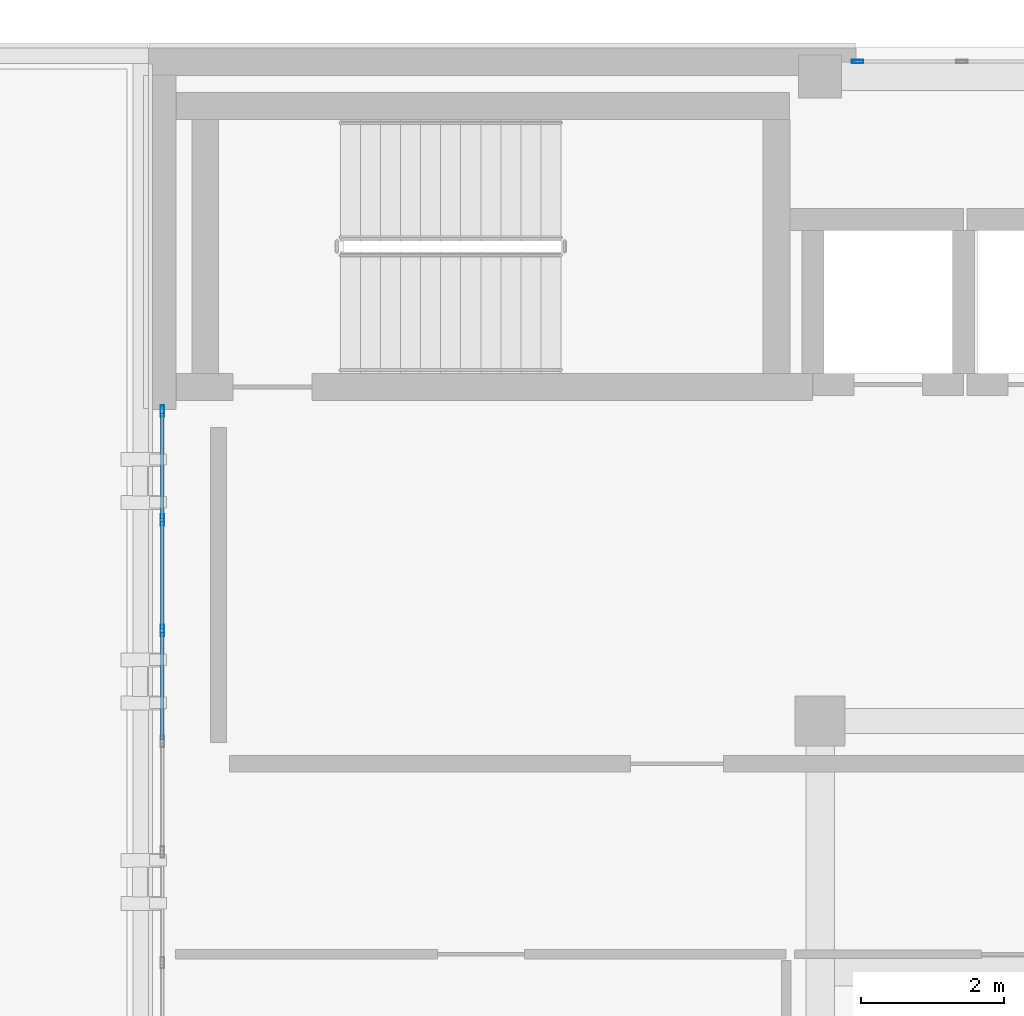
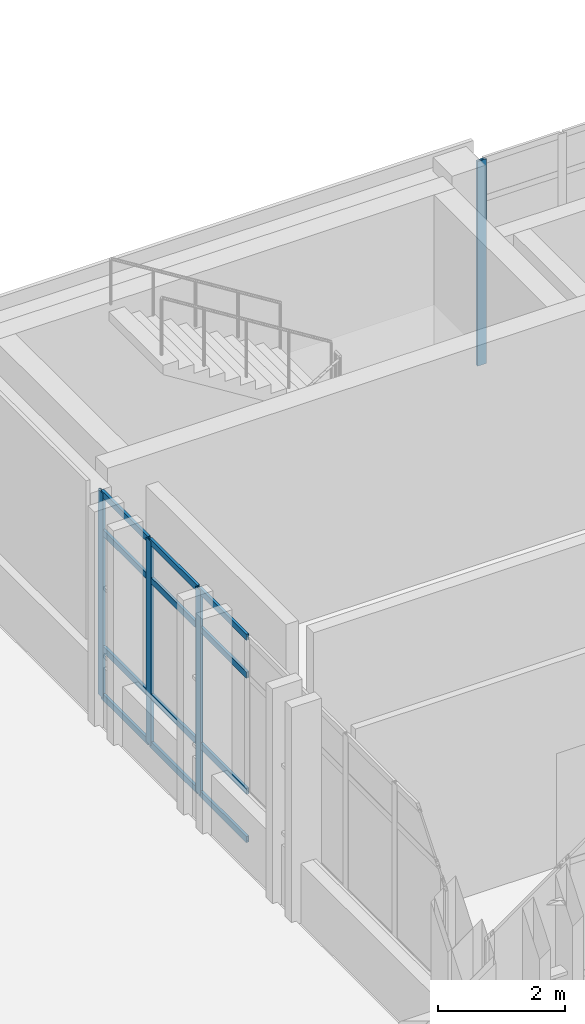
# One storey, part 44 of 90: 16 members, 2 elements without a shape of their own.
"""IFC4 building model written with IfcOpenShell, lengths in metres."""

from ifc_helpers import new_model, si_unit, direction, frame, origin, origin_2d, place, context, subcontext, project, spatial, hollow_rectangle, extrude, material, layer, layer_set, material_profile, profile_set, type_object, element, aggregate, save


model = new_model("IFC4")

# Units and contexts
model_context = context("Model", 3, precision=1e-05, world=origin(), true_north=direction((0.0, 1.0)))
body_context = subcontext(model_context, "Body", "Model", "MODEL_VIEW")
ifc_project = project(units=[si_unit("LENGTHUNIT", "METRE"), si_unit("AREAUNIT", "SQUARE_METRE"), si_unit("VOLUMEUNIT", "CUBIC_METRE"), si_unit("PLANEANGLEUNIT", "RADIAN"), si_unit("MASSUNIT", "GRAM", prefix="KILO")], contexts=[model_context])

# Site, building, storey
site_placement = place(None, origin())
site = spatial("IfcSite", under=ifc_project, at=site_placement, CompositionType="ELEMENT")
building_placement = place(site_placement, origin())
building = spatial("IfcBuilding", under=site, at=building_placement, Name="Qalavern Law Courts", CompositionType="ELEMENT")
storey_placement = place(building_placement, frame((0.0, 0.0, 22.800048828125)))
storey = spatial("IfcBuildingStorey", under=building, at=storey_placement, Name="L05", CompositionType="ELEMENT", Elevation=22.800048828125)

# Curtain wall, member
ifc_material_1 = material(Name="Anodised aluminium and insulated glazing", Category="aluminium")
ifc_layer = layer(ifc_material_1, 0.166015625)
ifc_layer_set = layer_set([ifc_layer], Name="Anodised aluminium and insulated glazing")
curtain_wall_type = type_object("IfcCurtainWallType", Name="ENV-CW-LIB", PredefinedType="USERDEFINED", material=ifc_layer_set)
curtain_wall_1_placement = place(storey_placement, origin())
curtain_wall_1 = element("IfcCurtainWall", 1, at=curtain_wall_1_placement, inside=storey, type_object=curtain_wall_type, Name="V5 unitised curtain wall L05 north 4", ObjectType="UNITISED CURTAIN WALL", PredefinedType="USERDEFINED")
ifc_material_2 = material(Name="Anodised aluminium", Category="aluminium")
ifc_material_profile_1 = material_profile(ifc_material_2, hollow_rectangle(XDim=0.048095703125, YDim=0.159912109375, WallThickness=0.00390625, at=origin_2d()), Name="ALU MULLION 48x160")
ifc_profile_set_1 = profile_set([ifc_material_profile_1], Name="Anodised aluminium")
member_type_1 = type_object("IfcMemberType", Name="ENV-CWM-48x160", PredefinedType="MULLION", material=ifc_profile_set_1)
member_1_placement = place(storey_placement, frame((28.924072265625, 112.8076171875, 0.0), z_axis=(0.0, 0.0, 1.0), x_axis=(0.0, -1.0, 0.0)))
member_1 = element("IfcMember", 2, at=member_1_placement, type_object=member_type_1, Name="CW-05 mullion 6", PredefinedType="MULLION", context=body_context, shape_type="SweptSolid", body=[
    extrude(hollow_rectangle(XDim=0.048095703125, YDim=0.159912109375, WallThickness=0.00390625, at=origin_2d()), origin(), (0.0, 0.0, 1.0), 3.929931640625),
])
aggregate(curtain_wall_1, [member_1])

# Curtain wall, members
curtain_wall_2_placement = place(storey_placement, origin())
curtain_wall_2 = element("IfcCurtainWall", 3, at=curtain_wall_2_placement, inside=storey, type_object=curtain_wall_type, Name="V5 unitised curtain wall L05 west 1", ObjectType="UNITISED CURTAIN WALL", PredefinedType="USERDEFINED")
member_2_placement = place(storey_placement, frame((19.21240234375, 107.926025390625, 0.0), z_axis=(0.0, 0.0, 1.0), x_axis=(1.0, 0.0, 0.0)))
member_2 = element("IfcMember", 4, at=member_2_placement, type_object=member_type_1, Name="CW-05 mullion 1", PredefinedType="MULLION", context=body_context, shape_type="SweptSolid", body=[
    extrude(hollow_rectangle(XDim=0.048095703125, YDim=0.159912109375, WallThickness=0.00390625, at=origin_2d()), origin(), (0.0, 0.0, 1.0), 3.929931640625),
])
member_3_placement = place(storey_placement, frame((19.21240234375, 106.404296875, 0.0), z_axis=(0.0, 0.0, 1.0), x_axis=(1.0, 0.0, 0.0)))
member_3 = element("IfcMember", 5, at=member_3_placement, type_object=member_type_1, Name="CW-05 mullion 2", PredefinedType="MULLION", context=body_context, shape_type="SweptSolid", body=[
    extrude(hollow_rectangle(XDim=0.048095703125, YDim=0.159912109375, WallThickness=0.00390625, at=origin_2d()), origin(), (0.0, 0.0, 1.0), 3.929931640625),
])
member_4_placement = place(storey_placement, frame((19.21240234375, 104.858642578125, 0.0), z_axis=(0.0, 0.0, 1.0), x_axis=(1.0, 0.0, 0.0)))
member_4 = element("IfcMember", 6, at=member_4_placement, type_object=member_type_1, Name="CW-05 mullion 3", PredefinedType="MULLION", context=body_context, shape_type="SweptSolid", body=[
    extrude(hollow_rectangle(XDim=0.048095703125, YDim=0.159912109375, WallThickness=0.00390625, at=origin_2d()), origin(), (0.0, 0.0, 1.0), 3.929931640625),
])
ifc_material_profile_2 = material_profile(ifc_material_2, hollow_rectangle(XDim=0.048095703125, YDim=0.1201171875, WallThickness=0.00390625, at=origin_2d()), Name="ALU TRANSOM 48x120")
ifc_profile_set_2 = profile_set([ifc_material_profile_2], Name="Anodised aluminium")
member_type_2 = type_object("IfcMemberType", Name="ENV-CWT-48x120", PredefinedType="USERDEFINED", material=ifc_profile_set_2)
member_5_placement = place(storey_placement, frame((19.21240234375, 107.902099609375, 0.02392578125), z_axis=(0.0, -1.0, 0.0), x_axis=(1.0, 0.0, 0.0)))
member_5 = element("IfcMember", 7, at=member_5_placement, type_object=member_type_2, Name="CW-05 transom 1.1", ObjectType="TRANSOM", PredefinedType="USERDEFINED", context=body_context, shape_type="SweptSolid", body=[
    extrude(hollow_rectangle(XDim=0.048095703125, YDim=0.1201171875, WallThickness=0.00390625, at=origin_2d()), origin(), (0.0, 0.0, 1.0), 1.473876953125),
])
member_6_placement = place(storey_placement, frame((19.21240234375, 107.902099609375, 0.949951171875), z_axis=(0.0, -1.0, 0.0), x_axis=(1.0, 0.0, 0.0)))
member_6 = element("IfcMember", 8, at=member_6_placement, type_object=member_type_2, Name="CW-05 transom 1.2", ObjectType="TRANSOM", PredefinedType="USERDEFINED", context=body_context, shape_type="SweptSolid", body=[
    extrude(hollow_rectangle(XDim=0.048095703125, YDim=0.1201171875, WallThickness=0.00390625, at=origin_2d()), origin(), (0.0, 0.0, 1.0), 1.473876953125),
])
member_7_placement = place(storey_placement, frame((19.21240234375, 107.902099609375, 3.179931640625), z_axis=(0.0, -1.0, 0.0), x_axis=(1.0, 0.0, 0.0)))
member_7 = element("IfcMember", 9, at=member_7_placement, type_object=member_type_2, Name="CW-05 transom 1.3", ObjectType="TRANSOM", PredefinedType="USERDEFINED", context=body_context, shape_type="SweptSolid", body=[
    extrude(hollow_rectangle(XDim=0.048095703125, YDim=0.1201171875, WallThickness=0.00390625, at=origin_2d()), origin(), (0.0, 0.0, 1.0), 1.473876953125),
])
member_8_placement = place(storey_placement, frame((19.21240234375, 107.902099609375, 3.906005859375), z_axis=(0.0, -1.0, 0.0), x_axis=(1.0, 0.0, 0.0)))
member_8 = element("IfcMember", 10, at=member_8_placement, type_object=member_type_2, Name="CW-05 transom 1.4", ObjectType="TRANSOM", PredefinedType="USERDEFINED", context=body_context, shape_type="SweptSolid", body=[
    extrude(hollow_rectangle(XDim=0.048095703125, YDim=0.1201171875, WallThickness=0.00390625, at=origin_2d()), origin(), (0.0, 0.0, 1.0), 1.473876953125),
])
member_9_placement = place(storey_placement, frame((19.21240234375, 106.38037109375, 0.02392578125), z_axis=(0.0, -1.0, 0.0), x_axis=(1.0, 0.0, 0.0)))
member_9 = element("IfcMember", 11, at=member_9_placement, type_object=member_type_2, Name="CW-05 transom 2.1", ObjectType="TRANSOM", PredefinedType="USERDEFINED", context=body_context, shape_type="SweptSolid", body=[
    extrude(hollow_rectangle(XDim=0.048095703125, YDim=0.1201171875, WallThickness=0.00390625, at=origin_2d()), origin(), (0.0, 0.0, 1.0), 1.497802734375),
])
member_10_placement = place(storey_placement, frame((19.21240234375, 106.38037109375, 0.949951171875), z_axis=(0.0, -1.0, 0.0), x_axis=(1.0, 0.0, 0.0)))
member_10 = element("IfcMember", 12, at=member_10_placement, type_object=member_type_2, Name="CW-05 transom 2.2", ObjectType="TRANSOM", PredefinedType="USERDEFINED", context=body_context, shape_type="SweptSolid", body=[
    extrude(hollow_rectangle(XDim=0.048095703125, YDim=0.1201171875, WallThickness=0.00390625, at=origin_2d()), origin(), (0.0, 0.0, 1.0), 1.497802734375),
])
member_11_placement = place(storey_placement, frame((19.21240234375, 106.38037109375, 3.179931640625), z_axis=(0.0, -1.0, 0.0), x_axis=(1.0, 0.0, 0.0)))
member_11 = element("IfcMember", 13, at=member_11_placement, type_object=member_type_2, Name="CW-05 transom 2.3", ObjectType="TRANSOM", PredefinedType="USERDEFINED", context=body_context, shape_type="SweptSolid", body=[
    extrude(hollow_rectangle(XDim=0.048095703125, YDim=0.1201171875, WallThickness=0.00390625, at=origin_2d()), origin(), (0.0, 0.0, 1.0), 1.497802734375),
])
member_12_placement = place(storey_placement, frame((19.21240234375, 106.38037109375, 3.906005859375), z_axis=(0.0, -1.0, 0.0), x_axis=(1.0, 0.0, 0.0)))
member_12 = element("IfcMember", 14, at=member_12_placement, type_object=member_type_2, Name="CW-05 transom 2.4", ObjectType="TRANSOM", PredefinedType="USERDEFINED", context=body_context, shape_type="SweptSolid", body=[
    extrude(hollow_rectangle(XDim=0.048095703125, YDim=0.1201171875, WallThickness=0.00390625, at=origin_2d()), origin(), (0.0, 0.0, 1.0), 1.497802734375),
])
member_13_placement = place(storey_placement, frame((19.21240234375, 104.83447265625, 0.02392578125), z_axis=(0.0, -1.0, 0.0), x_axis=(1.0, 0.0, 0.0)))
member_13 = element("IfcMember", 15, at=member_13_placement, type_object=member_type_2, Name="CW-05 transom 3.1", ObjectType="TRANSOM", PredefinedType="USERDEFINED", context=body_context, shape_type="SweptSolid", body=[
    extrude(hollow_rectangle(XDim=0.048095703125, YDim=0.1201171875, WallThickness=0.00390625, at=origin_2d()), origin(), (0.0, 0.0, 1.0), 1.49755859375),
])
member_14_placement = place(storey_placement, frame((19.21240234375, 104.83447265625, 0.949951171875), z_axis=(0.0, -1.0, 0.0), x_axis=(1.0, 0.0, 0.0)))
member_14 = element("IfcMember", 16, at=member_14_placement, type_object=member_type_2, Name="CW-05 transom 3.2", ObjectType="TRANSOM", PredefinedType="USERDEFINED", context=body_context, shape_type="SweptSolid", body=[
    extrude(hollow_rectangle(XDim=0.048095703125, YDim=0.1201171875, WallThickness=0.00390625, at=origin_2d()), origin(), (0.0, 0.0, 1.0), 1.49755859375),
])
member_15_placement = place(storey_placement, frame((19.21240234375, 104.83447265625, 3.179931640625), z_axis=(0.0, -1.0, 0.0), x_axis=(1.0, 0.0, 0.0)))
member_15 = element("IfcMember", 17, at=member_15_placement, type_object=member_type_2, Name="CW-05 transom 3.3", ObjectType="TRANSOM", PredefinedType="USERDEFINED", context=body_context, shape_type="SweptSolid", body=[
    extrude(hollow_rectangle(XDim=0.048095703125, YDim=0.1201171875, WallThickness=0.00390625, at=origin_2d()), origin(), (0.0, 0.0, 1.0), 1.49755859375),
])
member_16_placement = place(storey_placement, frame((19.21240234375, 104.83447265625, 3.906005859375), z_axis=(0.0, -1.0, 0.0), x_axis=(1.0, 0.0, 0.0)))
member_16 = element("IfcMember", 18, at=member_16_placement, type_object=member_type_2, Name="CW-05 transom 3.4", ObjectType="TRANSOM", PredefinedType="USERDEFINED", context=body_context, shape_type="SweptSolid", body=[
    extrude(hollow_rectangle(XDim=0.048095703125, YDim=0.1201171875, WallThickness=0.00390625, at=origin_2d()), origin(), (0.0, 0.0, 1.0), 1.49755859375),
])
aggregate(curtain_wall_2, [member_2, member_3, member_4, member_5, member_6, member_7, member_8, member_9, member_10, member_11, member_12, member_13, member_14, member_15, member_16])

save(model, "model.ifc")
